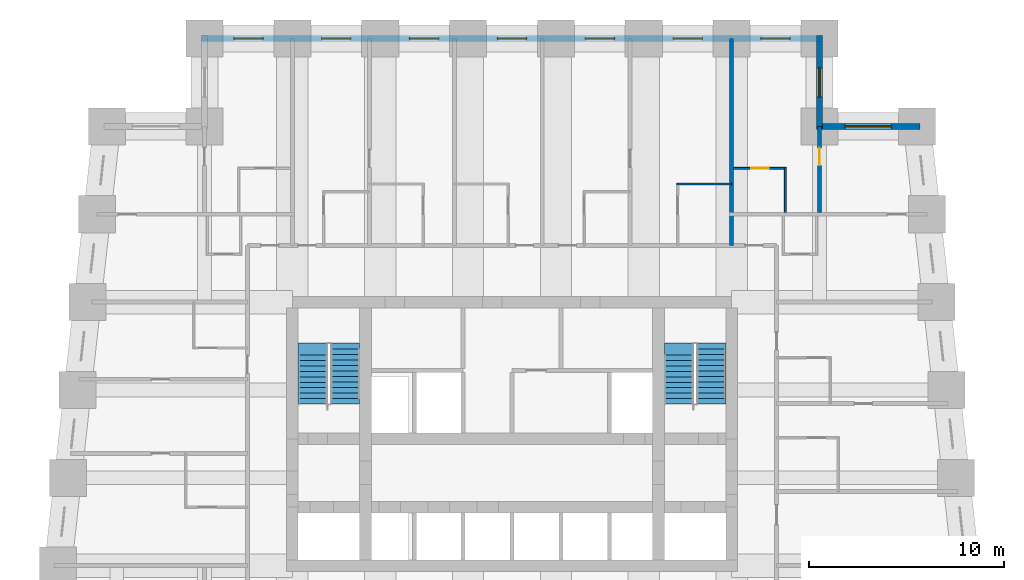
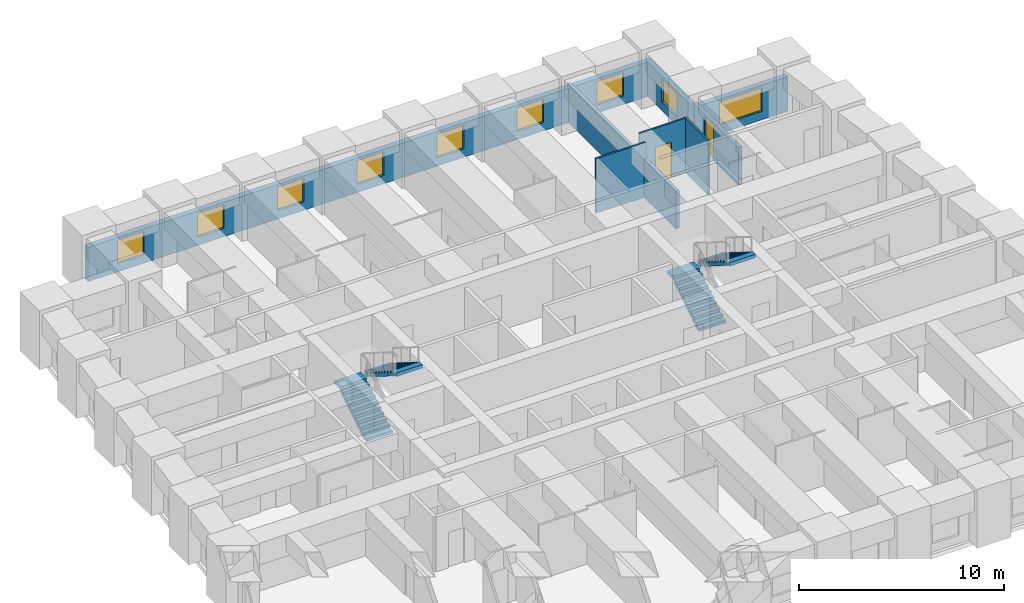
# One storey, part 7 of 8: 9 windows, 8 walls, 4 stair flights, 2 doors, 11 openings, 2 elements without a shape of their own.
"""IFC4 building model written with IfcOpenShell, lengths in metres."""

from ifc_helpers import new_model, si_unit, direction, frame, frame_2d, origin, place, context, subcontext, project, spatial, polyline, rectangle, outline, extrude, material, layer, layer_set, type_object, element, fill, aggregate, save


model = new_model("IFC4")

# Units and contexts
model_context = context("Model", 3, precision=1e-05, world=origin(), true_north=direction((0.0, 1.0)))
body_context = subcontext(model_context, "Body", "Model", "MODEL_VIEW")
ifc_project = project(units=[si_unit("LENGTHUNIT", "METRE"), si_unit("AREAUNIT", "SQUARE_METRE"), si_unit("VOLUMEUNIT", "CUBIC_METRE"), si_unit("PLANEANGLEUNIT", "RADIAN"), si_unit("MASSUNIT", "GRAM", prefix="KILO")], contexts=[model_context])

# Site, building, storey
site_placement = place(None, origin())
site = spatial("IfcSite", under=ifc_project, at=site_placement, CompositionType="ELEMENT")
building_placement = place(site_placement, origin())
building = spatial("IfcBuilding", under=site, at=building_placement, Name="Kilele Tower Hotel", CompositionType="ELEMENT")
storey_placement = place(building_placement, frame((0.0, 0.0, 64.699951171875)))
storey = spatial("IfcBuildingStorey", under=building, at=storey_placement, Name="L15", CompositionType="ELEMENT", Elevation=64.699951171875)

# Walls
ifc_material_1 = material(Name="Moisture-resistant board")
ifc_layer_1 = layer(ifc_material_1, 0.10009765625)
ifc_layer_set_1 = layer_set([ifc_layer_1], Name="Moisture-resistant board")
wall_type_1 = type_object("IfcWallType", Name="Bathroom partition 100", PredefinedType="PLUMBINGWALL", material=ifc_layer_set_1)
wall_1_placement = place(storey_placement, frame((33.199951171875, 33.050048828125, 0.0), z_axis=(0.0, 0.0, 1.0), x_axis=(1.0, 0.0, 0.0)))
element("IfcWall", 1, at=wall_1_placement, inside=storey, type_object=wall_type_1, Name="Bathroom partition 100 L15", PredefinedType="PLUMBINGWALL", context=body_context, shape_type="SweptSolid", body=[
    extrude(rectangle(XDim=2.800048828125, YDim=0.10009765625, at=frame_2d((1.39990234375, 0.0))), origin(), (0.0, 0.0, 1.0), 3.25),
])
wall_2_placement = place(storey_placement, frame((38.75, 31.60009765625, 0.0), z_axis=(0.0, 0.0, 1.0), x_axis=(0.0, 1.0, 0.0)))
element("IfcWall", 2, at=wall_2_placement, inside=storey, type_object=wall_type_1, Name="Bathroom partition 100 L15", PredefinedType="PLUMBINGWALL", context=body_context, shape_type="SweptSolid", body=[
    extrude(rectangle(XDim=2.2998046875, YDim=0.10009765625, at=frame_2d((1.14990234375, 0.0))), origin(), (0.0, 0.0, 1.0), 3.25),
])

# Wall, opening, door
wall_3_placement = place(storey_placement, frame((36.10009765625, 33.85009765625, 0.0), z_axis=(0.0, 0.0, 1.0), x_axis=(1.0, 0.0, 0.0)))
wall_3 = element("IfcWall", 3, at=wall_3_placement, inside=storey, type_object=wall_type_1, Name="Bathroom partition 100 L15", PredefinedType="PLUMBINGWALL", context=body_context, shape_type="SweptSolid", body=[
    extrude(rectangle(XDim=2.699951171875, YDim=0.10009765625, at=frame_2d((1.35009765625, 0.0))), origin(), (0.0, 0.0, 1.0), 3.25),
])
opening_1_placement = place(wall_3_placement, frame((0.89990234375, 0.0, 0.0)))
opening_1 = element("IfcOpeningElement", 4, at=opening_1_placement, cuts=wall_3, Name="Opening D2A", PredefinedType="OPENING", context=body_context, shape_type="SweptSolid", body=[
    extrude(rectangle(XDim=0.89990234375, YDim=2.10009765625, at=frame_2d((0.449951171875, 1.050048828125))), frame((0.0, 0.06005859375, 0.0), z_axis=(0.0, -1.0, 0.0), x_axis=(1.0, 0.0, 0.0)), (0.0, 0.0, 1.0), 0.1201171875),
])
ifc_material_2 = material(Name="Timber door leaf in hardwood frame", Category="wood")
door_type_1 = type_object("IfcDoorType", Name="Bathroom door 900", OperationType="SINGLE_SWING_LEFT", PredefinedType="DOOR", material=ifc_material_2)
door_1_placement = place(opening_1_placement, origin())
door_1 = element("IfcDoor", 5, at=door_1_placement, inside=storey, type_object=door_type_1, Name="Bathroom door 1524B", OperationType="SINGLE_SWING_LEFT", OverallHeight=2.10009765625, OverallWidth=0.89990234375, PredefinedType="DOOR", context=body_context, shape_type="SweptSolid", body=[
    extrude(rectangle(XDim=0.89990234375, YDim=2.10009765625, at=frame_2d((0.449951171875, 1.050048828125))), frame((0.0, 0.02490234375, 0.0), z_axis=(0.0, -1.0, 0.0), x_axis=(1.0, 0.0, 0.0)), (0.0, 0.0, 1.0), 0.050048828125),
])
fill(opening_1, door_1)

ifc_material_3 = material(Name="Blockwork, plastered both sides", Category="masonry")
ifc_layer_2 = layer(ifc_material_3, 0.199951171875)
ifc_layer_set_2 = layer_set([ifc_layer_2], Name="Blockwork, plastered both sides")
wall_type_2 = type_object("IfcWallType", Name="Partition wall 200", PredefinedType="PARTITIONING", material=ifc_layer_set_2)
wall_4_placement = place(storey_placement, frame((40.5, 31.60009765625, 0.0), z_axis=(0.0, 0.0, 1.0), x_axis=(0.0, 1.0, 0.0)))
wall_4 = element("IfcWall", 6, at=wall_4_placement, inside=storey, type_object=wall_type_2, Name="Partition wall 200 L15", PredefinedType="PARTITIONING", context=body_context, shape_type="SweptSolid", body=[
    extrude(rectangle(XDim=4.39990234375, YDim=0.199951171875, at=frame_2d((2.199951171875, 0.0))), origin(), (0.0, 0.0, 1.0), 2.25),
])
opening_2_placement = place(wall_4_placement, frame((2.39990234375, 0.0, 0.0)))
opening_2 = element("IfcOpeningElement", 7, at=opening_2_placement, cuts=wall_4, Name="Opening D3", PredefinedType="OPENING", context=body_context, shape_type="SweptSolid", body=[
    extrude(rectangle(XDim=0.89990234375, YDim=2.10009765625, at=frame_2d((0.449951171875, 1.050048828125))), frame((0.0, 0.10986328125, 0.0), z_axis=(0.0, -1.0, 0.0), x_axis=(1.0, 0.0, 0.0)), (0.0, 0.0, 1.0), 0.219970703125),
])
ifc_material_4 = material(Name="Timber door leaf in hardwood frame", Category="wood")
door_type_2 = type_object("IfcDoorType", Name="Suite internal door 900", OperationType="SINGLE_SWING_LEFT", PredefinedType="DOOR", material=ifc_material_4)
door_2_placement = place(opening_2_placement, origin())
door_2 = element("IfcDoor", 8, at=door_2_placement, inside=storey, type_object=door_type_2, Name="Suite door 1525", OperationType="SINGLE_SWING_RIGHT", OverallHeight=2.10009765625, OverallWidth=0.89990234375, PredefinedType="DOOR", context=body_context, shape_type="SweptSolid", body=[
    extrude(rectangle(XDim=0.89990234375, YDim=2.10009765625, at=frame_2d((0.449951171875, 1.050048828125))), frame((0.0, 0.02490234375, 0.0), z_axis=(0.0, -1.0, 0.0), x_axis=(1.0, 0.0, 0.0)), (0.0, 0.0, 1.0), 0.050048828125),
])
fill(opening_2, door_2)

# Wall
ifc_material_5 = material(Name="Blockwork, plastered both sides", Category="masonry")
ifc_layer_3 = layer(ifc_material_5, 0.199951171875)
ifc_layer_set_3 = layer_set([ifc_layer_3], Name="Blockwork, plastered both sides")
wall_type_3 = type_object("IfcWallType", Name="Party wall 200", PredefinedType="PARTITIONING", material=ifc_layer_set_3)
wall_5_placement = place(storey_placement, frame((36.0, 29.89990234375, 0.0), z_axis=(0.0, 0.0, 1.0), x_axis=(0.0, 1.0, 0.0)))
element("IfcWall", 9, at=wall_5_placement, inside=storey, type_object=wall_type_3, Name="Party wall 200 L15", PredefinedType="PARTITIONING", context=body_context, shape_type="SweptSolid", body=[
    extrude(rectangle(XDim=10.60009765625, YDim=0.199951171875, at=frame_2d((5.300048828125, 0.0))), origin(), (0.0, 0.0, 1.0), 2.25),
])

# Wall, opening, window
ifc_material_6 = material(Name="Concrete C40/50 precast", Category="concrete")
ifc_layer_4 = layer(ifc_material_6, 0.260009765625, Name="Precast backing", Category="LoadBearing")
ifc_material_7 = material(Name="Reconstituted stone finish", Category="masonry")
ifc_layer_5 = layer(ifc_material_7, 0.0400390625, Name="Face mix", Category="Finish")
ifc_layer_set_4 = layer_set([ifc_layer_4, ifc_layer_5], Name="Precast concrete C40/50, reconstituted stone finish")
wall_type_4 = type_object("IfcWallType", Name="Precast stone facade wall 300", PredefinedType="STANDARD", material=ifc_layer_set_4)
wall_6_placement = place(storey_placement, frame((45.64990234375, 36.0, 0.0), z_axis=(0.0, 0.0, 1.0), x_axis=(-1.0, 0.0, 0.0)))
wall_6 = element("IfcWall", 10, at=wall_6_placement, inside=storey, type_object=wall_type_4, Name="Facade wall L15 edge 7", PredefinedType="STANDARD", context=body_context, shape_type="SweptSolid", body=[
    extrude(rectangle(XDim=5.2998046875, YDim=0.300048828125, at=frame_2d((2.64990234375, 0.0))), origin(), (0.0, 0.0, 1.0), 2.050048828125),
])
opening_3_placement = place(wall_6_placement, frame((1.449951171875, 0.0, 0.5)))
opening_3 = element("IfcOpeningElement", 11, at=opening_3_placement, cuts=wall_6, Name="Opening W1", PredefinedType="OPENING", context=body_context, shape_type="SweptSolid", body=[
    extrude(rectangle(XDim=2.39990234375, YDim=1.39990234375, at=frame_2d((1.199951171875, 0.699951171875))), frame((0.0, 0.159912109375, 0.0), z_axis=(0.0, -1.0, 0.0), x_axis=(1.0, 0.0, 0.0)), (0.0, 0.0, 1.0), 0.320068359375),
])
ifc_material_8 = material(Name="Aluminium frame, clear double glazing", Category="aluminium")
window_type_1 = type_object("IfcWindowType", Name="Window W1 2400 x 1400", PartitioningType="SINGLE_PANEL", PredefinedType="WINDOW", material=ifc_material_8)
window_1_placement = place(opening_3_placement, origin())
window_1 = element("IfcWindow", 12, at=window_1_placement, inside=storey, type_object=window_type_1, Name="Window L15", OverallHeight=1.39990234375, OverallWidth=2.39990234375, PartitioningType="SINGLE_PANEL", PredefinedType="WINDOW", context=body_context, shape_type="SweptSolid", body=[
    extrude(rectangle(XDim=2.39990234375, YDim=1.39990234375, at=frame_2d((1.199951171875, 0.699951171875))), frame((0.0, 0.030029296875, 0.0), z_axis=(0.0, -1.0, 0.0), x_axis=(1.0, 0.0, 0.0)), (0.0, 0.0, 1.0), 0.06005859375),
])
fill(opening_3, window_1)

wall_7_placement = place(storey_placement, frame((40.5, 35.85009765625, 0.0), z_axis=(0.0, 0.0, 1.0), x_axis=(0.0, 1.0, 0.0)))
wall_7 = element("IfcWall", 13, at=wall_7_placement, inside=storey, type_object=wall_type_4, Name="Facade wall L15 edge 8", PredefinedType="STANDARD", context=body_context, shape_type="SweptSolid", body=[
    extrude(rectangle(XDim=4.7998046875, YDim=0.300048828125, at=frame_2d((2.39990234375, 0.0))), origin(), (0.0, 0.0, 1.0), 2.050048828125),
])
opening_4_placement = place(wall_7_placement, frame((1.64990234375, 0.0, 0.5)))
opening_4 = element("IfcOpeningElement", 14, at=opening_4_placement, cuts=wall_7, Name="Opening W1", PredefinedType="OPENING", context=body_context, shape_type="SweptSolid", body=[
    extrude(rectangle(XDim=1.5, YDim=1.39990234375, at=frame_2d((0.75, 0.699951171875))), frame((0.0, 0.159912109375, 0.0), z_axis=(0.0, -1.0, 0.0), x_axis=(1.0, 0.0, 0.0)), (0.0, 0.0, 1.0), 0.320068359375),
])
ifc_material_9 = material(Name="Aluminium frame, clear double glazing", Category="aluminium")
window_type_2 = type_object("IfcWindowType", Name="Window W1 1500 x 1400", PartitioningType="SINGLE_PANEL", PredefinedType="WINDOW", material=ifc_material_9)
window_2_placement = place(opening_4_placement, origin())
window_2 = element("IfcWindow", 15, at=window_2_placement, inside=storey, type_object=window_type_2, Name="Window L15", OverallHeight=1.39990234375, OverallWidth=1.5, PartitioningType="SINGLE_PANEL", PredefinedType="WINDOW", context=body_context, shape_type="SweptSolid", body=[
    extrude(rectangle(XDim=1.5, YDim=1.39990234375, at=frame_2d((0.75, 0.699951171875))), frame((0.0, 0.030029296875, 0.0), z_axis=(0.0, -1.0, 0.0), x_axis=(1.0, 0.0, 0.0)), (0.0, 0.0, 1.0), 0.06005859375),
])
fill(opening_4, window_2)

# Wall, openings, windows
wall_8_placement = place(storey_placement, frame((40.64990234375, 40.5, 0.0), z_axis=(0.0, 0.0, 1.0), x_axis=(-1.0, 0.0, 0.0)))
wall_8 = element("IfcWall", 16, at=wall_8_placement, inside=storey, type_object=wall_type_4, Name="Facade wall L15 edge 9", PredefinedType="STANDARD", context=body_context, shape_type="SweptSolid", body=[
    extrude(rectangle(XDim=31.7998046875, YDim=0.300048828125, at=frame_2d((15.89990234375, 0.0))), origin(), (0.0, 0.0, 1.0), 2.050048828125),
])
opening_5_placement = place(wall_8_placement, frame((1.64990234375, 0.0, 0.5)))
opening_5 = element("IfcOpeningElement", 17, at=opening_5_placement, cuts=wall_8, Name="Opening W1", PredefinedType="OPENING", context=body_context, shape_type="SweptSolid", body=[
    extrude(rectangle(XDim=1.5, YDim=1.39990234375, at=frame_2d((0.75, 0.699951171875))), frame((0.0, 0.159912109375, 0.0), z_axis=(0.0, -1.0, 0.0), x_axis=(1.0, 0.0, 0.0)), (0.0, 0.0, 1.0), 0.320068359375),
])
opening_6_placement = place(wall_8_placement, frame((6.14990234375, 0.0, 0.5)))
opening_6 = element("IfcOpeningElement", 18, at=opening_6_placement, cuts=wall_8, Name="Opening W1", PredefinedType="OPENING", context=body_context, shape_type="SweptSolid", body=[
    extrude(rectangle(XDim=1.5, YDim=1.39990234375, at=frame_2d((0.75, 0.699951171875))), frame((0.0, 0.159912109375, 0.0), z_axis=(0.0, -1.0, 0.0), x_axis=(1.0, 0.0, 0.0)), (0.0, 0.0, 1.0), 0.320068359375),
])
opening_7_placement = place(wall_8_placement, frame((10.64990234375, 0.0, 0.5)))
opening_7 = element("IfcOpeningElement", 19, at=opening_7_placement, cuts=wall_8, Name="Opening W1", PredefinedType="OPENING", context=body_context, shape_type="SweptSolid", body=[
    extrude(rectangle(XDim=1.5, YDim=1.39990234375, at=frame_2d((0.75, 0.699951171875))), frame((0.0, 0.159912109375, 0.0), z_axis=(0.0, -1.0, 0.0), x_axis=(1.0, 0.0, 0.0)), (0.0, 0.0, 1.0), 0.320068359375),
])
opening_8_placement = place(wall_8_placement, frame((15.14990234375, 0.0, 0.5)))
opening_8 = element("IfcOpeningElement", 20, at=opening_8_placement, cuts=wall_8, Name="Opening W1", PredefinedType="OPENING", context=body_context, shape_type="SweptSolid", body=[
    extrude(rectangle(XDim=1.5, YDim=1.39990234375, at=frame_2d((0.75, 0.699951171875))), frame((0.0, 0.159912109375, 0.0), z_axis=(0.0, -1.0, 0.0), x_axis=(1.0, 0.0, 0.0)), (0.0, 0.0, 1.0), 0.320068359375),
])
opening_9_placement = place(wall_8_placement, frame((19.64990234375, 0.0, 0.5)))
opening_9 = element("IfcOpeningElement", 21, at=opening_9_placement, cuts=wall_8, Name="Opening W1", PredefinedType="OPENING", context=body_context, shape_type="SweptSolid", body=[
    extrude(rectangle(XDim=1.5, YDim=1.39990234375, at=frame_2d((0.75, 0.699951171875))), frame((0.0, 0.159912109375, 0.0), z_axis=(0.0, -1.0, 0.0), x_axis=(1.0, 0.0, 0.0)), (0.0, 0.0, 1.0), 0.320068359375),
])
opening_10_placement = place(wall_8_placement, frame((24.14990234375, 0.0, 0.5)))
opening_10 = element("IfcOpeningElement", 22, at=opening_10_placement, cuts=wall_8, Name="Opening W1", PredefinedType="OPENING", context=body_context, shape_type="SweptSolid", body=[
    extrude(rectangle(XDim=1.5, YDim=1.39990234375, at=frame_2d((0.75, 0.699951171875))), frame((0.0, 0.159912109375, 0.0), z_axis=(0.0, -1.0, 0.0), x_axis=(1.0, 0.0, 0.0)), (0.0, 0.0, 1.0), 0.320068359375),
])
opening_11_placement = place(wall_8_placement, frame((28.64990234375, 0.0, 0.5)))
opening_11 = element("IfcOpeningElement", 23, at=opening_11_placement, cuts=wall_8, Name="Opening W1", PredefinedType="OPENING", context=body_context, shape_type="SweptSolid", body=[
    extrude(rectangle(XDim=1.5, YDim=1.39990234375, at=frame_2d((0.75, 0.699951171875))), frame((0.0, 0.159912109375, 0.0), z_axis=(0.0, -1.0, 0.0), x_axis=(1.0, 0.0, 0.0)), (0.0, 0.0, 1.0), 0.320068359375),
])
window_3_placement = place(opening_5_placement, origin())
window_3 = element("IfcWindow", 24, at=window_3_placement, inside=storey, type_object=window_type_2, Name="Window L15", OverallHeight=1.39990234375, OverallWidth=1.5, PartitioningType="SINGLE_PANEL", PredefinedType="WINDOW", context=body_context, shape_type="SweptSolid", body=[
    extrude(rectangle(XDim=1.5, YDim=1.39990234375, at=frame_2d((0.75, 0.699951171875))), frame((0.0, 0.030029296875, 0.0), z_axis=(0.0, -1.0, 0.0), x_axis=(1.0, 0.0, 0.0)), (0.0, 0.0, 1.0), 0.06005859375),
])
fill(opening_5, window_3)
window_4_placement = place(opening_6_placement, origin())
window_4 = element("IfcWindow", 25, at=window_4_placement, inside=storey, type_object=window_type_2, Name="Window L15", OverallHeight=1.39990234375, OverallWidth=1.5, PartitioningType="SINGLE_PANEL", PredefinedType="WINDOW", context=body_context, shape_type="SweptSolid", body=[
    extrude(rectangle(XDim=1.5, YDim=1.39990234375, at=frame_2d((0.75, 0.699951171875))), frame((0.0, 0.030029296875, 0.0), z_axis=(0.0, -1.0, 0.0), x_axis=(1.0, 0.0, 0.0)), (0.0, 0.0, 1.0), 0.06005859375),
])
fill(opening_6, window_4)
window_5_placement = place(opening_7_placement, origin())
window_5 = element("IfcWindow", 26, at=window_5_placement, inside=storey, type_object=window_type_2, Name="Window L15", OverallHeight=1.39990234375, OverallWidth=1.5, PartitioningType="SINGLE_PANEL", PredefinedType="WINDOW", context=body_context, shape_type="SweptSolid", body=[
    extrude(rectangle(XDim=1.5, YDim=1.39990234375, at=frame_2d((0.75, 0.699951171875))), frame((0.0, 0.030029296875, 0.0), z_axis=(0.0, -1.0, 0.0), x_axis=(1.0, 0.0, 0.0)), (0.0, 0.0, 1.0), 0.06005859375),
])
fill(opening_7, window_5)
window_6_placement = place(opening_8_placement, origin())
window_6 = element("IfcWindow", 27, at=window_6_placement, inside=storey, type_object=window_type_2, Name="Window L15", OverallHeight=1.39990234375, OverallWidth=1.5, PartitioningType="SINGLE_PANEL", PredefinedType="WINDOW", context=body_context, shape_type="SweptSolid", body=[
    extrude(rectangle(XDim=1.5, YDim=1.39990234375, at=frame_2d((0.75, 0.699951171875))), frame((0.0, 0.030029296875, 0.0), z_axis=(0.0, -1.0, 0.0), x_axis=(1.0, 0.0, 0.0)), (0.0, 0.0, 1.0), 0.06005859375),
])
fill(opening_8, window_6)
window_7_placement = place(opening_9_placement, origin())
window_7 = element("IfcWindow", 28, at=window_7_placement, inside=storey, type_object=window_type_2, Name="Window L15", OverallHeight=1.39990234375, OverallWidth=1.5, PartitioningType="SINGLE_PANEL", PredefinedType="WINDOW", context=body_context, shape_type="SweptSolid", body=[
    extrude(rectangle(XDim=1.5, YDim=1.39990234375, at=frame_2d((0.75, 0.699951171875))), frame((0.0, 0.030029296875, 0.0), z_axis=(0.0, -1.0, 0.0), x_axis=(1.0, 0.0, 0.0)), (0.0, 0.0, 1.0), 0.06005859375),
])
fill(opening_9, window_7)
window_8_placement = place(opening_10_placement, origin())
window_8 = element("IfcWindow", 29, at=window_8_placement, inside=storey, type_object=window_type_2, Name="Window L15", OverallHeight=1.39990234375, OverallWidth=1.5, PartitioningType="SINGLE_PANEL", PredefinedType="WINDOW", context=body_context, shape_type="SweptSolid", body=[
    extrude(rectangle(XDim=1.5, YDim=1.39990234375, at=frame_2d((0.75, 0.699951171875))), frame((0.0, 0.030029296875, 0.0), z_axis=(0.0, -1.0, 0.0), x_axis=(1.0, 0.0, 0.0)), (0.0, 0.0, 1.0), 0.06005859375),
])
fill(opening_10, window_8)
window_9_placement = place(opening_11_placement, origin())
window_9 = element("IfcWindow", 30, at=window_9_placement, inside=storey, type_object=window_type_2, Name="Window L15", OverallHeight=1.39990234375, OverallWidth=1.5, PartitioningType="SINGLE_PANEL", PredefinedType="WINDOW", context=body_context, shape_type="SweptSolid", body=[
    extrude(rectangle(XDim=1.5, YDim=1.39990234375, at=frame_2d((0.75, 0.699951171875))), frame((0.0, 0.030029296875, 0.0), z_axis=(0.0, -1.0, 0.0), x_axis=(1.0, 0.0, 0.0)), (0.0, 0.0, 1.0), 0.06005859375),
])
fill(opening_11, window_9)

# Stair, stair flights
ifc_material_10 = material(Name="Precast concrete C40/50", Category="concrete")
stair_type = type_object("IfcStairType", Name="Stair 1475 x 3500", PredefinedType="HALF_TURN_STAIR", material=ifc_material_10)
stair_1_placement = place(storey_placement, origin())
stair_1 = element("IfcStair", 31, at=stair_1_placement, inside=storey, type_object=stair_type, Name="Stair 1 L15", PredefinedType="HALF_TURN_STAIR")
ifc_material_11 = material(Name="Precast concrete C40/50", Category="concrete")
stair_flight_type = type_object("IfcStairFlightType", Name="Flight 1475 riser 175.0", PredefinedType="STRAIGHT", material=ifc_material_11)
stair_flight_1_placement = place(storey_placement, frame((14.53759765625, 21.77490234375, 0.0), z_axis=(0.0, 0.0, 1.0), x_axis=(0.0, 1.0, 0.0)))
stair_flight_1 = element("IfcStairFlight", 32, at=stair_flight_1_placement, type_object=stair_flight_type, Name="ST1 flight 1", NumberOfRisers=10, NumberOfTreads=9, PredefinedType="STRAIGHT", RiserHeight=0.175, TreadLength=0.28, context=body_context, shape_type="SweptSolid", body=[
    extrude(outline(polyline([(0.0, 0.0), (0.0, 0.175048828125), (0.280029296875, 0.175048828125), (0.280029296875, 0.35009765625), (0.56005859375, 0.35009765625), (0.56005859375, 0.52490234375), (0.840087890625, 0.52490234375), (0.840087890625, 0.699951171875), (1.1201171875, 0.699951171875), (1.1201171875, 0.875), (1.39990234375, 0.875), (1.39990234375, 1.050048828125), (1.679931640625, 1.050048828125), (1.679931640625, 1.22509765625), (1.9599609375, 1.22509765625), (1.9599609375, 1.39990234375), (2.239990234375, 1.39990234375), (2.239990234375, 1.574951171875), (2.52001953125, 1.574951171875), (2.52001953125, 1.75), (2.52001953125, 1.398193359375), (0.28271484375, 0.0), (0.0, 0.0)])), frame((0.0, 0.737548828125, 0.0), z_axis=(0.0, -1.0, 0.0), x_axis=(1.0, 0.0, 0.0)), (0.0, 0.0, 1.0), 1.47509765625),
    extrude(outline(polyline([(2.52001953125, 0.737548828125), (2.52001953125, -0.7373046875), (3.1201171875, -0.7373046875), (3.1201171875, 0.737548828125), (2.52001953125, 0.737548828125)])), frame((0.0, 0.0, 1.550048828125)), (0.0, 0.0, 1.0), 0.199951171875),
])
stair_flight_2_placement = place(storey_placement, frame((16.21240234375, 24.594970703125, 1.75), z_axis=(0.0, 0.0, 1.0), x_axis=(0.0, -1.0, 0.0)))
stair_flight_2 = element("IfcStairFlight", 33, at=stair_flight_2_placement, type_object=stair_flight_type, Name="ST1 flight 2", NumberOfRisers=10, NumberOfTreads=9, PredefinedType="STRAIGHT", RiserHeight=0.175, TreadLength=0.28, context=body_context, shape_type="SweptSolid", body=[
    extrude(outline(polyline([(0.0, 0.0), (0.0, 0.175048828125), (0.280029296875, 0.175048828125), (0.280029296875, 0.35009765625), (0.56005859375, 0.35009765625), (0.56005859375, 0.52490234375), (0.840087890625, 0.52490234375), (0.840087890625, 0.699951171875), (1.1201171875, 0.699951171875), (1.1201171875, 0.875), (1.39990234375, 0.875), (1.39990234375, 1.050048828125), (1.679931640625, 1.050048828125), (1.679931640625, 1.22509765625), (1.9599609375, 1.22509765625), (1.9599609375, 1.39990234375), (2.239990234375, 1.39990234375), (2.239990234375, 1.574951171875), (2.52001953125, 1.574951171875), (2.52001953125, 1.75), (2.52001953125, 1.398193359375), (0.28271484375, 0.0), (0.0, 0.0)])), frame((0.0, 0.737548828125, 0.0), z_axis=(0.0, -1.0, 0.0), x_axis=(1.0, 0.0, 0.0)), (0.0, 0.0, 1.0), 1.47509765625),
    extrude(outline(polyline([(0.0, -0.7373046875), (0.0, 0.737548828125), (-0.300048828125, 0.737548828125), (-0.300048828125, -0.7373046875), (0.0, -0.7373046875)])), frame((0.0, 0.0, -0.199951171875)), (0.0, 0.0, 1.0), 0.199951171875),
    extrude(outline(polyline([(2.820068359375, -0.7373046875), (2.820068359375, 0.737548828125), (2.52001953125, 0.737548828125), (2.52001953125, -0.7373046875), (2.820068359375, -0.7373046875)])), frame((0.0, 0.0, 1.550048828125)), (0.0, 0.0, 1.0), 0.199951171875),
])
aggregate(stair_1, [stair_flight_1, stair_flight_2])

stair_2_placement = place(storey_placement, origin())
stair_2 = element("IfcStair", 34, at=stair_2_placement, inside=storey, type_object=stair_type, Name="Stair 2 L15", PredefinedType="HALF_TURN_STAIR")
stair_flight_3_placement = place(storey_placement, frame((33.28759765625, 21.77490234375, 0.0), z_axis=(0.0, 0.0, 1.0), x_axis=(0.0, 1.0, 0.0)))
stair_flight_3 = element("IfcStairFlight", 35, at=stair_flight_3_placement, type_object=stair_flight_type, Name="ST2 flight 1", NumberOfRisers=10, NumberOfTreads=9, PredefinedType="STRAIGHT", RiserHeight=0.175, TreadLength=0.28, context=body_context, shape_type="SweptSolid", body=[
    extrude(outline(polyline([(0.0, 0.0), (0.0, 0.175048828125), (0.280029296875, 0.175048828125), (0.280029296875, 0.35009765625), (0.56005859375, 0.35009765625), (0.56005859375, 0.52490234375), (0.840087890625, 0.52490234375), (0.840087890625, 0.699951171875), (1.1201171875, 0.699951171875), (1.1201171875, 0.875), (1.39990234375, 0.875), (1.39990234375, 1.050048828125), (1.679931640625, 1.050048828125), (1.679931640625, 1.22509765625), (1.9599609375, 1.22509765625), (1.9599609375, 1.39990234375), (2.239990234375, 1.39990234375), (2.239990234375, 1.574951171875), (2.52001953125, 1.574951171875), (2.52001953125, 1.75), (2.52001953125, 1.398193359375), (0.28271484375, 0.0), (0.0, 0.0)])), frame((0.0, 0.737548828125, 0.0), z_axis=(0.0, -1.0, 0.0), x_axis=(1.0, 0.0, 0.0)), (0.0, 0.0, 1.0), 1.47509765625),
    extrude(outline(polyline([(2.52001953125, 0.737548828125), (2.52001953125, -0.7373046875), (3.1201171875, -0.7373046875), (3.1201171875, 0.737548828125), (2.52001953125, 0.737548828125)])), frame((0.0, 0.0, 1.550048828125)), (0.0, 0.0, 1.0), 0.199951171875),
])
stair_flight_4_placement = place(storey_placement, frame((34.96240234375, 24.594970703125, 1.75), z_axis=(0.0, 0.0, 1.0), x_axis=(0.0, -1.0, 0.0)))
stair_flight_4 = element("IfcStairFlight", 36, at=stair_flight_4_placement, type_object=stair_flight_type, Name="ST2 flight 2", NumberOfRisers=10, NumberOfTreads=9, PredefinedType="STRAIGHT", RiserHeight=0.175, TreadLength=0.28, context=body_context, shape_type="SweptSolid", body=[
    extrude(outline(polyline([(0.0, 0.0), (0.0, 0.175048828125), (0.280029296875, 0.175048828125), (0.280029296875, 0.35009765625), (0.56005859375, 0.35009765625), (0.56005859375, 0.52490234375), (0.840087890625, 0.52490234375), (0.840087890625, 0.699951171875), (1.1201171875, 0.699951171875), (1.1201171875, 0.875), (1.39990234375, 0.875), (1.39990234375, 1.050048828125), (1.679931640625, 1.050048828125), (1.679931640625, 1.22509765625), (1.9599609375, 1.22509765625), (1.9599609375, 1.39990234375), (2.239990234375, 1.39990234375), (2.239990234375, 1.574951171875), (2.52001953125, 1.574951171875), (2.52001953125, 1.75), (2.52001953125, 1.398193359375), (0.28271484375, 0.0), (0.0, 0.0)])), frame((0.0, 0.737548828125, 0.0), z_axis=(0.0, -1.0, 0.0), x_axis=(1.0, 0.0, 0.0)), (0.0, 0.0, 1.0), 1.47509765625),
    extrude(outline(polyline([(0.0, -0.7373046875), (0.0, 0.737548828125), (-0.300048828125, 0.737548828125), (-0.300048828125, -0.7373046875), (0.0, -0.7373046875)])), frame((0.0, 0.0, -0.199951171875)), (0.0, 0.0, 1.0), 0.199951171875),
    extrude(outline(polyline([(2.820068359375, -0.7373046875), (2.820068359375, 0.737548828125), (2.52001953125, 0.737548828125), (2.52001953125, -0.7373046875), (2.820068359375, -0.7373046875)])), frame((0.0, 0.0, 1.550048828125)), (0.0, 0.0, 1.0), 0.199951171875),
])
aggregate(stair_2, [stair_flight_3, stair_flight_4])

save(model, "model.ifc")
